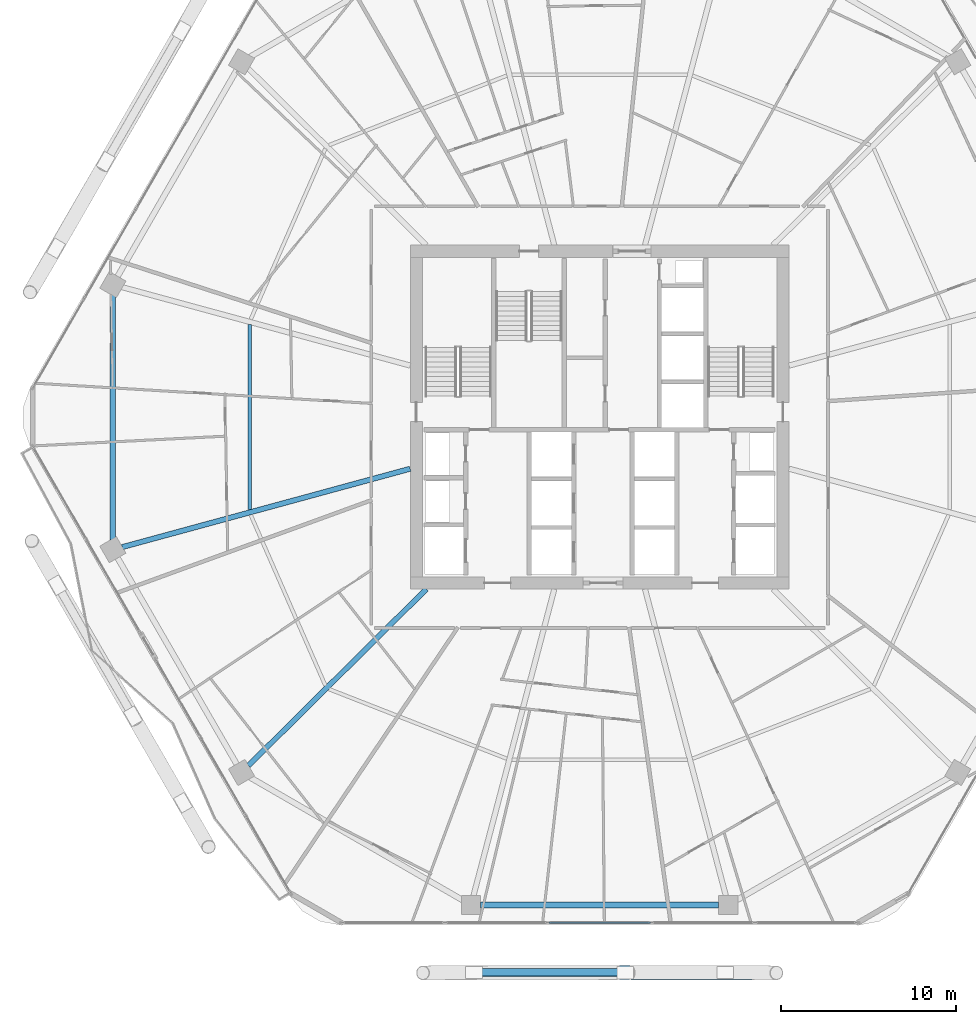
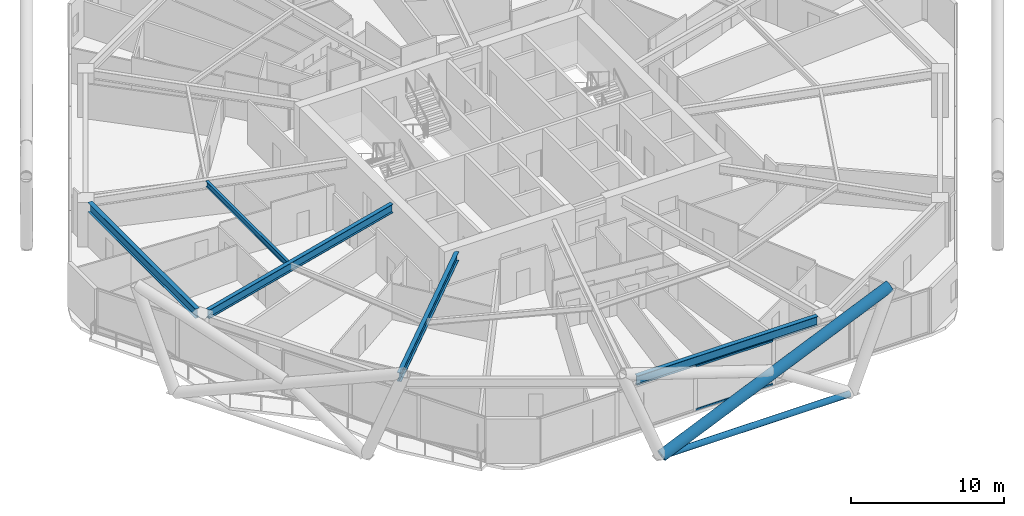
# One storey, part 6 of 34: 5 beams, 4 members, 1 element without a shape of its own.
"""IFC4 building model written with IfcOpenShell, lengths in metres."""

from ifc_helpers import new_model, si_unit, direction, frame, origin, origin_2d, place, context, subcontext, project, spatial, hollow_rectangle, hollow_circle, i_section, extrude, material, material_profile, profile_set, type_object, element, aggregate, save


model = new_model("IFC4")

# Units and contexts
model_context = context("Model", 3, precision=1e-05, world=origin(), true_north=direction((0.0, 1.0)))
body_context = subcontext(model_context, "Body", "Model", "MODEL_VIEW")
ifc_project = project(units=[si_unit("LENGTHUNIT", "METRE"), si_unit("AREAUNIT", "SQUARE_METRE"), si_unit("VOLUMEUNIT", "CUBIC_METRE"), si_unit("PLANEANGLEUNIT", "RADIAN"), si_unit("MASSUNIT", "GRAM", prefix="KILO")], contexts=[model_context])

# Site, building, storey
site_placement = place(None, origin())
site = spatial("IfcSite", under=ifc_project, at=site_placement, CompositionType="ELEMENT")
building_placement = place(site_placement, origin())
building = spatial("IfcBuilding", under=site, at=building_placement, Name="Zuhravey Tower", CompositionType="ELEMENT")
storey_placement = place(building_placement, frame((0.0, 0.0, 100.0)))
storey = spatial("IfcBuildingStorey", under=building, at=storey_placement, Name="L24", CompositionType="ELEMENT", Elevation=100.0)

# Curtain wall, members
ifc_material_1 = material(Name="Thermally broken anodised aluminium", Category="aluminium")
curtain_wall_type = type_object("IfcCurtainWallType", Name="Zone 1-2 Residential Curtain Wall CW3", PredefinedType="NOTDEFINED", material=ifc_material_1)
curtain_wall_placement = place(storey_placement, origin())
curtain_wall = element("IfcCurtainWall", 1, at=curtain_wall_placement, inside=storey, type_object=curtain_wall_type, Name="L24 CW3 CW-L24-F5-1", PredefinedType="NOTDEFINED")
ifc_material_2 = material(Name="Anodised aluminium", Category="aluminium")
ifc_material_profile_1 = material_profile(ifc_material_2, hollow_rectangle(XDim=0.090087890625, YDim=0.14990234375, WallThickness=0.0048828125, at=origin_2d()), Name="ALU-RHS-90x150x5")
ifc_profile_set_1 = profile_set([ifc_material_profile_1], Name="Anodised aluminium")
member_type_1 = type_object("IfcMemberType", Name="Curtain-Wall Transom 90x150", PredefinedType="USERDEFINED", material=ifc_profile_set_1)
member_1_placement = place(storey_placement, frame((38.914794921875, 3.04150390625, 0.044921875), z_axis=(-1.0, 0.0, 0.0), x_axis=(0.0, -1.0, 0.0)))
member_1 = element("IfcMember", 2, at=member_1_placement, type_object=member_type_1, Name="CW3 transom 3.1", ObjectType="TRANSOM", PredefinedType="USERDEFINED", context=body_context, shape_type="SweptSolid", body=[
    extrude(hollow_rectangle(XDim=0.090087890625, YDim=0.14990234375, WallThickness=0.0048828125, at=origin_2d()), origin(), (0.0, 0.0, 1.0), 5.82958984375),
])
member_2_placement = place(storey_placement, frame((38.914794921875, 3.04150390625, 3.5048828125), z_axis=(-1.0, 0.0, 0.0), x_axis=(0.0, -1.0, 0.0)))
member_2 = element("IfcMember", 3, at=member_2_placement, type_object=member_type_1, Name="CW3 transom 3.2", ObjectType="TRANSOM", PredefinedType="USERDEFINED", context=body_context, shape_type="SweptSolid", body=[
    extrude(hollow_rectangle(XDim=0.090087890625, YDim=0.14990234375, WallThickness=0.0048828125, at=origin_2d()), origin(), (0.0, 0.0, 1.0), 5.82958984375),
])
aggregate(curtain_wall, [member_1, member_2])

# Members
ifc_material_3 = material(Name="Steel SM355", Category="steel")
ifc_material_profile_2 = material_profile(ifc_material_3, hollow_circle(Radius=0.228515625, WallThickness=0.02197265625, at=origin_2d()), Name="CHS-457.2x22")
ifc_profile_set_2 = profile_set([ifc_material_profile_2], Name="Steel SM355")
member_type_2 = type_object("IfcMemberType", Name="Exoskeleton Ring Tie CHS457x22", PredefinedType="CHORD", material=ifc_profile_set_2)
member_3_placement = place(storey_placement, frame((28.946044921875, 0.19140625, -0.464111328125), z_axis=(1.0, 0.0, 0.0), x_axis=(0.0, 1.0, 0.0)))
element("IfcMember", 4, at=member_3_placement, inside=storey, type_object=member_type_2, Name="L24 Exoskeleton Face 5 Tie EXR1", PredefinedType="CHORD", context=body_context, shape_type="SweptSolid", body=[
    extrude(hollow_circle(Radius=0.228515625, WallThickness=0.02197265625, at=origin_2d()), origin(), (0.0, 0.0, 1.0), 14.10791015625),
])
ifc_material_4 = material(Name="Steel SM460", Category="steel")
ifc_material_profile_3 = material_profile(ifc_material_4, hollow_circle(Radius=0.406494140625, WallThickness=0.035888671875, at=origin_2d()), Name="CHS-812.8x36")
ifc_profile_set_3 = profile_set([ifc_material_profile_3], Name="Steel SM460")
member_type_3 = type_object("IfcMemberType", Name="Exoskeleton Zone 1 Diagrid CHS813x36", PredefinedType="BRACE", material=ifc_profile_set_3)
member_4_placement = place(storey_placement, frame((28.856201171875, 0.19140625, -0.44189453125), z_axis=(0.915812767342, -0.001583104138, 0.401602376679), x_axis=(0.00172863038, 0.999998505917, 0.0)))
element("IfcMember", 5, at=member_4_placement, inside=storey, type_object=member_type_3, Name="L24 Face 5 Diagrid Brace 2", PredefinedType="BRACE", context=body_context, shape_type="SweptSolid", body=[
    extrude(hollow_circle(Radius=0.406494140625, WallThickness=0.035888671875, at=origin_2d()), origin(), (0.0, 0.0, 1.0), 18.814453125),
])

# Beams
ifc_material_profile_4 = material_profile(ifc_material_3, i_section(OverallWidth=0.320068359375, OverallDepth=0.75, WebThickness=0.013916015625, FlangeThickness=0.02490234375, at=origin_2d()), Name="H-750x320x14x25")
ifc_profile_set_4 = profile_set([ifc_material_profile_4], Name="Steel SM355")
beam_type_1 = type_object("IfcBeamType", Name="Perimeter Ring Beam H750x320", PredefinedType="BEAM", material=ifc_profile_set_4)
beam_1_placement = place(storey_placement, frame((8.11083984375, 39.03857421875, 3.175048828125), z_axis=(0.0, -1.0, 0.0), x_axis=(1.0, 0.0, 0.0)))
element("IfcBeam", 6, at=beam_1_placement, inside=storey, type_object=beam_type_1, Name="L24 PB1 BM-L24-PB-06", PredefinedType="BEAM", context=body_context, shape_type="SweptSolid", body=[
    extrude(i_section(OverallWidth=0.320068359375, OverallDepth=0.75, WebThickness=0.013916015625, FlangeThickness=0.02490234375, at=origin_2d()), origin(), (0.0, 0.0, 1.0), 14.0771484375),
])
beam_2_placement = place(storey_placement, frame((29.18310546875, 4.051513671875, 3.175048828125), z_axis=(1.0, 0.0, 0.0), x_axis=(0.0, 1.0, 0.0)))
element("IfcBeam", 7, at=beam_2_placement, inside=storey, type_object=beam_type_1, Name="L24 PB1 BM-L24-PB-09", PredefinedType="BEAM", context=body_context, shape_type="SweptSolid", body=[
    extrude(i_section(OverallWidth=0.320068359375, OverallDepth=0.75, WebThickness=0.013916015625, FlangeThickness=0.02490234375, at=origin_2d()), origin(), (0.0, 0.0, 1.0), 13.6337890625),
])
ifc_material_profile_5 = material_profile(ifc_material_3, i_section(OverallWidth=0.300048828125, OverallDepth=0.699951171875, WebThickness=0.012939453125, FlangeThickness=0.02392578125, at=origin_2d()), Name="H-700x300x13x24")
ifc_profile_set_5 = profile_set([ifc_material_profile_5], Name="Steel SM355")
beam_type_2 = type_object("IfcBeamType", Name="Radial Primary Girder H700x300", PredefinedType="BEAM", material=ifc_profile_set_5)
beam_3_placement = place(storey_placement, frame((25.14697265625, 29.045654296875, 3.199951171875), z_axis=(-0.964893166225, -0.262642680791, 0.0), x_axis=(0.262642680791, -0.964893166225, 0.0)))
element("IfcBeam", 8, at=beam_3_placement, inside=storey, type_object=beam_type_2, Name="L24 RG1 BM-L24-RAD-07", PredefinedType="BEAM", context=body_context, shape_type="SweptSolid", body=[
    extrude(i_section(OverallWidth=0.300048828125, OverallDepth=0.699951171875, WebThickness=0.012939453125, FlangeThickness=0.02392578125, at=origin_2d()), origin(), (0.0, 0.0, 1.0), 17.102783203125),
])
beam_4_placement = place(storey_placement, frame((26.068603515625, 22.14697265625, 3.199951171875), z_axis=(-0.709906230344, -0.704296204816, 0.0), x_axis=(0.704296204816, -0.709906230344, 0.0)))
element("IfcBeam", 9, at=beam_4_placement, inside=storey, type_object=beam_type_2, Name="L24 RG1 BM-L24-RAD-08", PredefinedType="BEAM", context=body_context, shape_type="SweptSolid", body=[
    extrude(i_section(OverallWidth=0.300048828125, OverallDepth=0.699951171875, WebThickness=0.012939453125, FlangeThickness=0.02392578125, at=origin_2d()), origin(), (0.0, 0.0, 1.0), 14.361083984375),
])
ifc_material_profile_6 = material_profile(ifc_material_3, i_section(OverallWidth=0.199951171875, OverallDepth=0.449951171875, WebThickness=0.009033203125, FlangeThickness=0.013916015625, at=origin_2d()), Name="H-450x200x9x14")
ifc_profile_set_6 = profile_set([ifc_material_profile_6], Name="Steel SM355")
beam_type_3 = type_object("IfcBeamType", Name="Secondary Floor Joist H450x200", PredefinedType="JOIST", material=ifc_profile_set_6)
beam_5_placement = place(storey_placement, frame((15.947509765625, 37.304443359375, 3.324951171875), z_axis=(0.0, -1.0, 0.0), x_axis=(1.0, 0.0, 0.0)))
element("IfcBeam", 10, at=beam_5_placement, inside=storey, type_object=beam_type_3, Name="L24 SJ1 BM-L24-SJ-06-1", PredefinedType="JOIST", context=body_context, shape_type="SweptSolid", body=[
    extrude(i_section(OverallWidth=0.199951171875, OverallDepth=0.449951171875, WebThickness=0.009033203125, FlangeThickness=0.013916015625, at=origin_2d()), origin(), (0.0, 0.0, 1.0), 10.60888671875),
])

save(model, "model.ifc")
